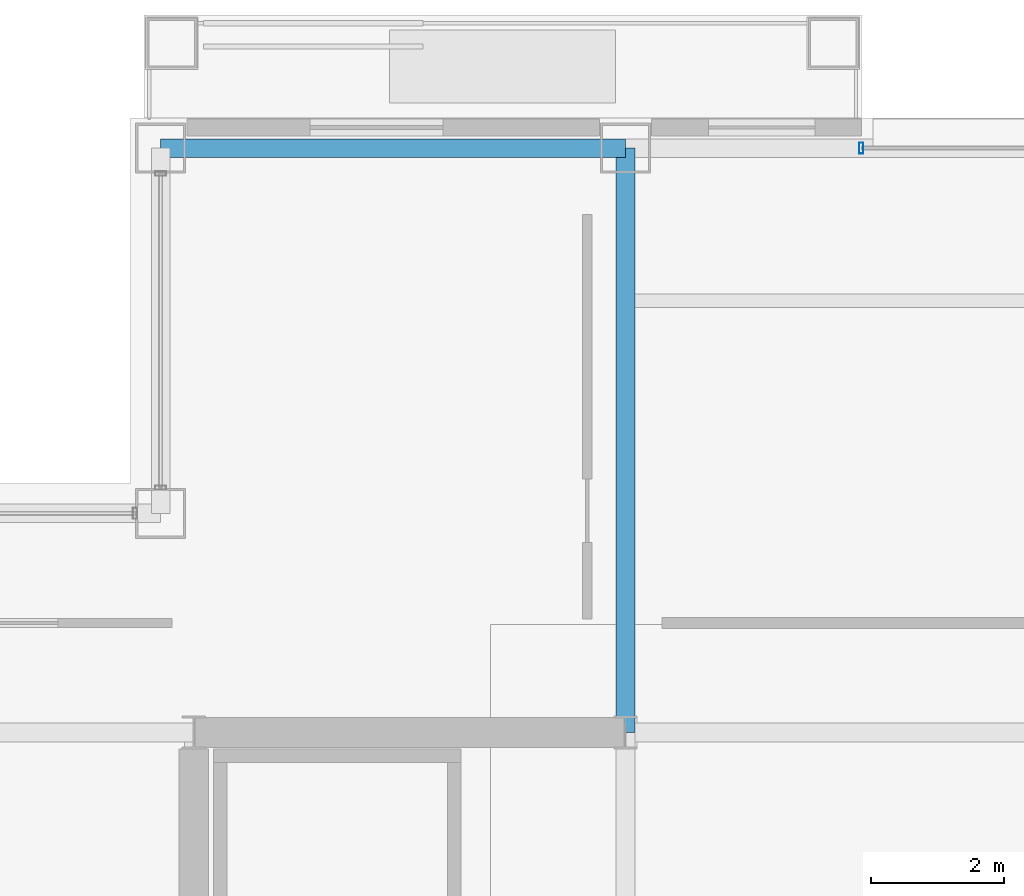
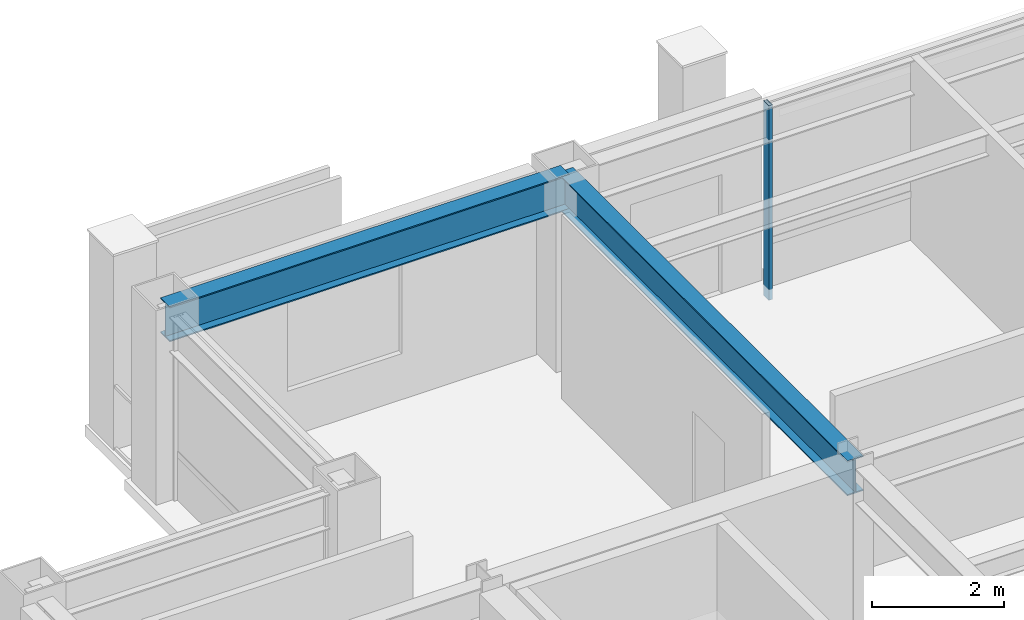
# One storey, part 20 of 30: 2 beams, 1 member, 1 element without a shape of its own.
"""IFC4 building model written with IfcOpenShell, lengths in metres."""

from ifc_helpers import new_model, si_unit, direction, frame, origin, origin_2d, place, context, subcontext, project, spatial, hollow_rectangle, i_section, extrude, material, layer, layer_set, material_profile, profile_set, type_object, element, aggregate, save


model = new_model("IFC4")

# Units and contexts
model_context = context("Model", 3, precision=1e-05, world=origin(), true_north=direction((0.0, 1.0)))
body_context = subcontext(model_context, "Body", "Model", "MODEL_VIEW")
ifc_project = project(units=[si_unit("LENGTHUNIT", "METRE"), si_unit("AREAUNIT", "SQUARE_METRE"), si_unit("VOLUMEUNIT", "CUBIC_METRE"), si_unit("PLANEANGLEUNIT", "RADIAN"), si_unit("MASSUNIT", "GRAM", prefix="KILO")], contexts=[model_context])

# Site, building, storey
site_placement = place(None, origin())
site = spatial("IfcSite", under=ifc_project, at=site_placement, CompositionType="ELEMENT")
building_placement = place(site_placement, origin())
building = spatial("IfcBuilding", under=site, at=building_placement, Name="Brelmoor Portico Tower", CompositionType="ELEMENT")
storey_placement = place(building_placement, frame((0.0, 0.0, 173.10009765625)))
storey = spatial("IfcBuildingStorey", under=building, at=storey_placement, Name="L45", CompositionType="ELEMENT", Elevation=173.10009765625)

# Beams
ifc_material_1 = material(Name="Steel Q355B", Category="steel")
ifc_material_profile_1 = material_profile(ifc_material_1, i_section(OverallWidth=0.280029296875, OverallDepth=0.64990234375, WebThickness=0.012939453125, FlangeThickness=0.02197265625, at=origin_2d()), Name="HN 650x280x13x22")
ifc_profile_set_1 = profile_set([ifc_material_profile_1], Name="Steel Q355B")
beam_type_1 = type_object("IfcBeamType", Name="BM-PG-650", PredefinedType="BEAM", material=ifc_profile_set_1)
beam_1_placement = place(storey_placement, frame((-8.050048828125, 9.75, 3.074951171875), z_axis=(0.0, 1.0, 0.0), x_axis=(-1.0, 0.0, 0.0)))
element("IfcBeam", 1, at=beam_1_placement, inside=storey, type_object=beam_type_1, Name="L45 Primary Floor Girder PG-05", PredefinedType="BEAM", context=body_context, shape_type="SweptSolid", body=[
    extrude(i_section(OverallWidth=0.280029296875, OverallDepth=0.64990234375, WebThickness=0.012939453125, FlangeThickness=0.02197265625, at=origin_2d()), origin(), (0.0, 0.0, 1.0), 8.800048828125),
])
ifc_material_profile_2 = material_profile(ifc_material_1, i_section(OverallWidth=0.280029296875, OverallDepth=0.64990234375, WebThickness=0.012939453125, FlangeThickness=0.02197265625, at=origin_2d()), Name="HN 650x280x13x22")
ifc_profile_set_2 = profile_set([ifc_material_profile_2], Name="Steel Q355B")
beam_type_2 = type_object("IfcBeamType", Name="BM-SP-650", PredefinedType="SPANDREL", material=ifc_profile_set_2)
beam_2_placement = place(storey_placement, frame((-15.050048828125, 18.550048828125, 3.074951171875), z_axis=(1.0, 0.0, 0.0), x_axis=(0.0, 1.0, 0.0)))
element("IfcBeam", 2, at=beam_2_placement, inside=storey, type_object=beam_type_2, Name="L45 Perimeter Spandrel Beam SP-08", PredefinedType="SPANDREL", context=body_context, shape_type="SweptSolid", body=[
    extrude(i_section(OverallWidth=0.280029296875, OverallDepth=0.64990234375, WebThickness=0.012939453125, FlangeThickness=0.02197265625, at=origin_2d()), origin(), (0.0, 0.0, 1.0), 7.0),
])

# Curtain wall, member
ifc_material_2 = material(Name="Anodised Aluminium Alloy 6063-T6", Category="aluminium")
ifc_layer = layer(ifc_material_2, 0.179931640625)
ifc_layer_set = layer_set([ifc_layer], Name="Anodised Aluminium Alloy 6063-T6")
curtain_wall_type = type_object("IfcCurtainWallType", Name="CW-TOWER-Z3", PredefinedType="NOTDEFINED", material=ifc_layer_set)
curtain_wall_placement = place(storey_placement, origin())
curtain_wall = element("IfcCurtainWall", 3, at=curtain_wall_placement, inside=storey, type_object=curtain_wall_type, Name="L45 Curtain Wall CW-L45-2R-1", PredefinedType="NOTDEFINED")
ifc_material_profile_3 = material_profile(ifc_material_2, hollow_rectangle(XDim=0.06494140625, YDim=0.1650390625, WallThickness=0.00390625, at=origin_2d()), Name="ALU MULLION 65x165")
ifc_profile_set_3 = profile_set([ifc_material_profile_3], Name="Anodised Aluminium Alloy 6063-T6")
member_type = type_object("IfcMemberType", Name="MB-CW-MULL-165", PredefinedType="MULLION", material=ifc_profile_set_3)
member_placement = place(storey_placement, frame((-4.5, 18.550048828125, -0.2001953125), z_axis=(0.0, 0.0, 1.0), x_axis=(1.0, 0.0, 0.0)))
member = element("IfcMember", 4, at=member_placement, type_object=member_type, Name="CW-L45-2R-1 Mullion 00", PredefinedType="MULLION", context=body_context, shape_type="SweptSolid", body=[
    extrude(hollow_rectangle(XDim=0.06494140625, YDim=0.1650390625, WallThickness=0.00390625, at=origin_2d()), origin(), (0.0, 0.0, 1.0), 3.60009765625),
])
aggregate(curtain_wall, [member])

save(model, "model.ifc")
